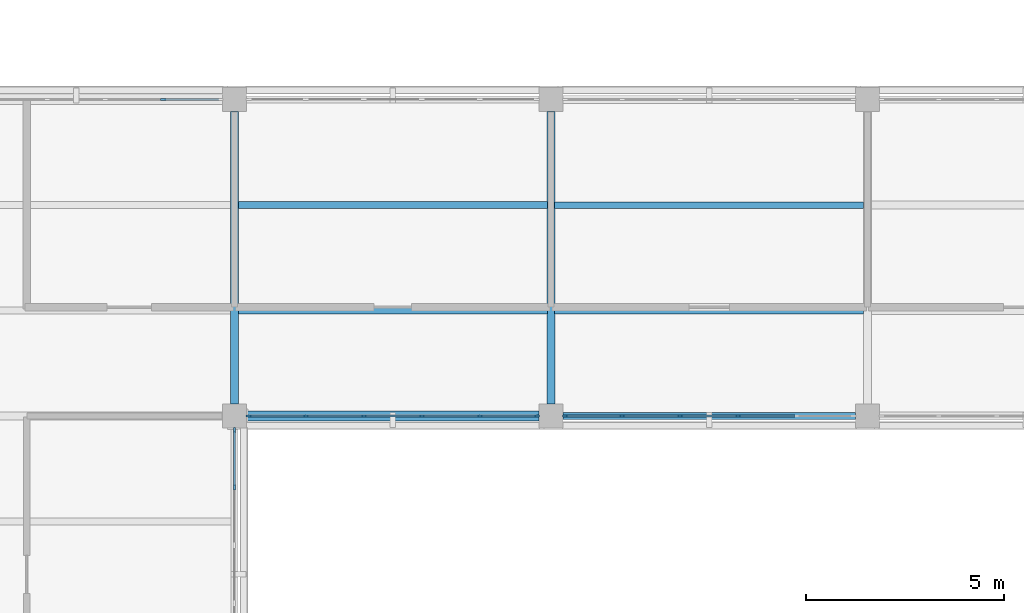
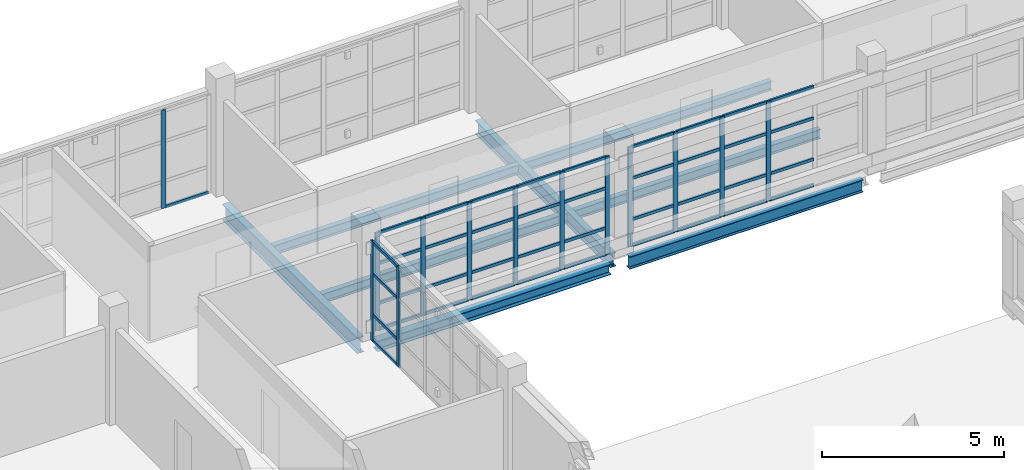
# One storey, part 15 of 126: 54 members, 8 beams, 4 elements without a shape of their own.
"""IFC4 building model written with IfcOpenShell, lengths in metres."""

from ifc_helpers import new_model, si_unit, derived_unit, direction, frame, origin, origin_2d, place, context, subcontext, project, spatial, rectangle, i_section, extrude, material, layer, layer_set, material_profile, profile_set, type_object, element, aggregate, save


model = new_model("IFC4")

# Units and contexts
model_context = context("Model", 3, precision=1e-05, world=origin(), true_north=direction((0.0, 1.0)))
body_context = subcontext(model_context, "Body", "Model", "MODEL_VIEW")
ifc_project = project(units=[si_unit("LENGTHUNIT", "METRE"), si_unit("AREAUNIT", "SQUARE_METRE"), si_unit("VOLUMEUNIT", "CUBIC_METRE"), si_unit("PLANEANGLEUNIT", "RADIAN"), si_unit("MASSUNIT", "GRAM", prefix="KILO"), derived_unit("THERMALTRANSMITTANCEUNIT", [(si_unit("MASSUNIT", "GRAM", prefix="KILO"), 1), (si_unit("TIMEUNIT", "SECOND"), -3), (si_unit("THERMODYNAMICTEMPERATUREUNIT", "KELVIN"), -1)])], contexts=[model_context])

# Site, building, storey
site_placement = place(None, origin())
site = spatial("IfcSite", under=ifc_project, at=site_placement, CompositionType="ELEMENT")
building_placement = place(site_placement, origin())
building = spatial("IfcBuilding", under=site, at=building_placement, Name="Veyamyaing Civic Hall", CompositionType="ELEMENT")
storey_placement = place(building_placement, frame((0.0, 0.0, 9.89990234375)))
storey = spatial("IfcBuildingStorey", under=building, at=storey_placement, Name="L02", CompositionType="ELEMENT", Elevation=9.89990234375)

# Beams
ifc_material_1 = material(Name="Steel ASTM A992", Category="steel")
ifc_material_profile_1 = material_profile(ifc_material_1, i_section(OverallWidth=0.208984375, OverallDepth=0.532958984375, WebThickness=0.01025390625, FlangeThickness=0.015625, FilletRadius=0.011962890625, at=origin_2d()), Name="W530X92")
ifc_profile_set_1 = profile_set([ifc_material_profile_1], Name="Steel ASTM A992")
beam_type_1 = type_object("IfcBeamType", Name="B-07", PredefinedType="BEAM", material=ifc_profile_set_1)
beam_1_placement = place(storey_placement, frame((16.0, 48.300048828125, -0.551513671875), z_axis=(0.0, 1.0, 0.0), x_axis=(-1.0, 0.0, 0.0)))
element("IfcBeam", 1, at=beam_1_placement, inside=storey, type_object=beam_type_1, Name="Girder B-07 L02 Grid 3 G-H", PredefinedType="BEAM", context=body_context, shape_type="SweptSolid", body=[
    extrude(i_section(OverallWidth=0.208984375, OverallDepth=0.532958984375, WebThickness=0.01025390625, FlangeThickness=0.015625, FilletRadius=0.011962890625, at=origin_2d()), origin(), (0.0, 0.0, 1.0), 7.39990234375),
])
ifc_material_profile_2 = material_profile(ifc_material_1, i_section(OverallWidth=0.19189453125, OverallDepth=0.462890625, WebThickness=0.010498046875, FlangeThickness=0.017578125, FilletRadius=0.010009765625, at=origin_2d()), Name="W460X89")
ifc_profile_set_2 = profile_set([ifc_material_profile_2], Name="Steel ASTM A992")
beam_type_2 = type_object("IfcBeamType", Name="B-08", PredefinedType="BEAM", material=ifc_profile_set_2)
beam_2_placement = place(storey_placement, frame((24.0, 48.300048828125, -0.516357421875), z_axis=(0.0, 1.0, 0.0), x_axis=(-1.0, 0.0, 0.0)))
element("IfcBeam", 2, at=beam_2_placement, inside=storey, type_object=beam_type_2, Name="Girder B-08 L02 Grid 4 G-H", PredefinedType="BEAM", context=body_context, shape_type="SweptSolid", body=[
    extrude(i_section(OverallWidth=0.19189453125, OverallDepth=0.462890625, WebThickness=0.010498046875, FlangeThickness=0.017578125, FilletRadius=0.010009765625, at=origin_2d()), origin(), (0.0, 0.0, 1.0), 7.39990234375),
])
ifc_material_profile_3 = material_profile(ifc_material_1, i_section(OverallWidth=0.179931640625, OverallDepth=0.4130859375, WebThickness=0.009765625, FlangeThickness=0.01611328125, FilletRadius=0.010009765625, at=origin_2d()), Name="W410X74")
ifc_profile_set_3 = profile_set([ifc_material_profile_3], Name="Steel ASTM A992")
beam_type_3 = type_object("IfcBeamType", Name="B-10", PredefinedType="SPANDREL", material=ifc_profile_set_3)
beam_3_placement = place(storey_placement, frame((24.300048828125, 48.0, -0.491455078125), z_axis=(1.0, 0.0, 0.0), x_axis=(0.0, 1.0, 0.0)))
element("IfcBeam", 3, at=beam_3_placement, inside=storey, type_object=beam_type_3, Name="Girder B-10 L02 Grid G 4-5", PredefinedType="SPANDREL", context=body_context, shape_type="SweptSolid", body=[
    extrude(i_section(OverallWidth=0.179931640625, OverallDepth=0.4130859375, WebThickness=0.009765625, FlangeThickness=0.01611328125, FilletRadius=0.010009765625, at=origin_2d()), origin(), (0.0, 0.0, 1.0), 7.39990234375),
])
ifc_material_profile_4 = material_profile(ifc_material_1, i_section(OverallWidth=0.25390625, OverallDepth=0.35302734375, WebThickness=0.009521484375, FlangeThickness=0.016357421875, FilletRadius=0.011962890625, at=origin_2d()), Name="W360X91")
ifc_profile_set_4 = profile_set([ifc_material_profile_4], Name="Steel ASTM A992")
beam_type_4 = type_object("IfcBeamType", Name="B-20", PredefinedType="SPANDREL", material=ifc_profile_set_4)
beam_4_placement = place(storey_placement, frame((16.300048828125, 48.0, -0.46142578125), z_axis=(1.0, 0.0, 0.0), x_axis=(0.0, 1.0, 0.0)))
element("IfcBeam", 4, at=beam_4_placement, inside=storey, type_object=beam_type_4, Name="Girder B-20 L02 Grid G 3-4", PredefinedType="SPANDREL", context=body_context, shape_type="SweptSolid", body=[
    extrude(i_section(OverallWidth=0.25390625, OverallDepth=0.35302734375, WebThickness=0.009521484375, FlangeThickness=0.016357421875, FilletRadius=0.011962890625, at=origin_2d()), origin(), (0.0, 0.0, 1.0), 7.39990234375),
])

# Curtain wall, members
ifc_material_2 = material(Name="Anodised aluminium 6063-T6", Category="aluminium")
ifc_layer = layer(ifc_material_2, 0.139892578125, Name="Anodised aluminium 6063-T6")
ifc_layer_set = layer_set([ifc_layer], Name="Anodised aluminium 6063-T6")
curtain_wall_type = type_object("IfcCurtainWallType", Name="CW-04", PredefinedType="NOTDEFINED", material=ifc_layer_set)
curtain_wall_1_placement = place(storey_placement, origin())
curtain_wall_1 = element("IfcCurtainWall", 5, at=curtain_wall_1_placement, inside=storey, type_object=curtain_wall_type, Name="Unitized curtain wall CW-04 L02 E 2.6", PredefinedType="NOTDEFINED")
ifc_material_profile_5 = material_profile(ifc_material_2, rectangle(XDim=0.06005859375, YDim=0.139892578125, at=origin_2d()), Name="ALU-MUL-60X140")
ifc_profile_set_5 = profile_set([ifc_material_profile_5], Name="Anodised aluminium 6063-T6")
member_type_1 = type_object("IfcMemberType", Name="CWM-03", PredefinedType="MULLION", material=ifc_profile_set_5)
member_1_placement = place(storey_placement, frame((16.0, 46.201904296875, 0.0), z_axis=(0.0, 0.0, 1.0), x_axis=(-1.0, 0.0, 0.0)))
member_1 = element("IfcMember", 6, at=member_1_placement, type_object=member_type_1, Name="CW-04 mullion 5", PredefinedType="MULLION", context=body_context, shape_type="SweptSolid", body=[
    extrude(rectangle(XDim=0.06005859375, YDim=0.139892578125, at=origin_2d()), origin(), (0.0, 0.0, 1.0), 3.343994140625),
])
member_2_placement = place(storey_placement, frame((16.0, 47.639892578125, 0.0), z_axis=(0.0, 0.0, 1.0), x_axis=(-1.0, 0.0, 0.0)))
member_2 = element("IfcMember", 7, at=member_2_placement, type_object=member_type_1, Name="CW-04 mullion 6", PredefinedType="MULLION", context=body_context, shape_type="SweptSolid", body=[
    extrude(rectangle(XDim=0.06005859375, YDim=0.139892578125, at=origin_2d()), origin(), (0.0, 0.0, 1.0), 3.343994140625),
])

# Curtain wall, member
curtain_wall_2_placement = place(storey_placement, origin())
curtain_wall_2 = element("IfcCurtainWall", 8, at=curtain_wall_2_placement, inside=storey, type_object=curtain_wall_type, Name="Unitized curtain wall CW-04 L02 N 2.7", PredefinedType="NOTDEFINED")
member_3_placement = place(storey_placement, frame((14.201904296875, 56.0, 0.0), z_axis=(0.0, 0.0, 1.0), x_axis=(0.0, 1.0, 0.0)))
member_3 = element("IfcMember", 9, at=member_3_placement, type_object=member_type_1, Name="CW-04 mullion 5", PredefinedType="MULLION", context=body_context, shape_type="SweptSolid", body=[
    extrude(rectangle(XDim=0.06005859375, YDim=0.139892578125, at=origin_2d()), origin(), (0.0, 0.0, 1.0), 3.2841796875),
])

# Curtain wall, members
curtain_wall_3_placement = place(storey_placement, origin())
curtain_wall_3 = element("IfcCurtainWall", 10, at=curtain_wall_3_placement, inside=storey, type_object=curtain_wall_type, Name="Unitized curtain wall CW-04 L02 S 3.7", PredefinedType="NOTDEFINED")
member_4_placement = place(storey_placement, frame((16.360107421875, 48.0, 0.0), z_axis=(0.0, 0.0, 1.0), x_axis=(0.0, 1.0, 0.0)))
member_4 = element("IfcMember", 11, at=member_4_placement, type_object=member_type_1, Name="CW-04 mullion 1", PredefinedType="MULLION", context=body_context, shape_type="SweptSolid", body=[
    extrude(rectangle(XDim=0.06005859375, YDim=0.139892578125, at=origin_2d()), origin(), (0.0, 0.0, 1.0), 3.2841796875),
])
member_5_placement = place(storey_placement, frame((17.798095703125, 48.0, 0.0), z_axis=(0.0, 0.0, 1.0), x_axis=(0.0, 1.0, 0.0)))
member_5 = element("IfcMember", 12, at=member_5_placement, type_object=member_type_1, Name="CW-04 mullion 2", PredefinedType="MULLION", context=body_context, shape_type="SweptSolid", body=[
    extrude(rectangle(XDim=0.06005859375, YDim=0.139892578125, at=origin_2d()), origin(), (0.0, 0.0, 1.0), 3.2841796875),
])
member_6_placement = place(storey_placement, frame((19.26611328125, 48.0, 0.0), z_axis=(0.0, 0.0, 1.0), x_axis=(0.0, 1.0, 0.0)))
member_6 = element("IfcMember", 13, at=member_6_placement, type_object=member_type_1, Name="CW-04 mullion 3", PredefinedType="MULLION", context=body_context, shape_type="SweptSolid", body=[
    extrude(rectangle(XDim=0.06005859375, YDim=0.139892578125, at=origin_2d()), origin(), (0.0, 0.0, 1.0), 3.2841796875),
])
member_7_placement = place(storey_placement, frame((20.73388671875, 48.0, 0.0), z_axis=(0.0, 0.0, 1.0), x_axis=(0.0, 1.0, 0.0)))
member_7 = element("IfcMember", 14, at=member_7_placement, type_object=member_type_1, Name="CW-04 mullion 4", PredefinedType="MULLION", context=body_context, shape_type="SweptSolid", body=[
    extrude(rectangle(XDim=0.06005859375, YDim=0.139892578125, at=origin_2d()), origin(), (0.0, 0.0, 1.0), 3.2841796875),
])
member_8_placement = place(storey_placement, frame((22.201904296875, 48.0, 0.0), z_axis=(0.0, 0.0, 1.0), x_axis=(0.0, 1.0, 0.0)))
member_8 = element("IfcMember", 15, at=member_8_placement, type_object=member_type_1, Name="CW-04 mullion 5", PredefinedType="MULLION", context=body_context, shape_type="SweptSolid", body=[
    extrude(rectangle(XDim=0.06005859375, YDim=0.139892578125, at=origin_2d()), origin(), (0.0, 0.0, 1.0), 3.2841796875),
])
member_9_placement = place(storey_placement, frame((23.639892578125, 48.0, 0.0), z_axis=(0.0, 0.0, 1.0), x_axis=(0.0, 1.0, 0.0)))
member_9 = element("IfcMember", 16, at=member_9_placement, type_object=member_type_1, Name="CW-04 mullion 6", PredefinedType="MULLION", context=body_context, shape_type="SweptSolid", body=[
    extrude(rectangle(XDim=0.06005859375, YDim=0.139892578125, at=origin_2d()), origin(), (0.0, 0.0, 1.0), 3.2841796875),
])

curtain_wall_4_placement = place(storey_placement, origin())
curtain_wall_4 = element("IfcCurtainWall", 17, at=curtain_wall_4_placement, inside=storey, type_object=curtain_wall_type, Name="Unitized curtain wall CW-04 L02 S 4.7", PredefinedType="NOTDEFINED")
member_10_placement = place(storey_placement, frame((24.360107421875, 48.0, 0.0), z_axis=(0.0, 0.0, 1.0), x_axis=(0.0, 1.0, 0.0)))
member_10 = element("IfcMember", 18, at=member_10_placement, type_object=member_type_1, Name="CW-04 mullion 1", PredefinedType="MULLION", context=body_context, shape_type="SweptSolid", body=[
    extrude(rectangle(XDim=0.06005859375, YDim=0.139892578125, at=origin_2d()), origin(), (0.0, 0.0, 1.0), 3.34716796875),
])
member_11_placement = place(storey_placement, frame((25.798095703125, 48.0, 0.0), z_axis=(0.0, 0.0, 1.0), x_axis=(0.0, 1.0, 0.0)))
member_11 = element("IfcMember", 19, at=member_11_placement, type_object=member_type_1, Name="CW-04 mullion 2", PredefinedType="MULLION", context=body_context, shape_type="SweptSolid", body=[
    extrude(rectangle(XDim=0.06005859375, YDim=0.139892578125, at=origin_2d()), origin(), (0.0, 0.0, 1.0), 3.34716796875),
])
member_12_placement = place(storey_placement, frame((27.26611328125, 48.0, 0.0), z_axis=(0.0, 0.0, 1.0), x_axis=(0.0, 1.0, 0.0)))
member_12 = element("IfcMember", 20, at=member_12_placement, type_object=member_type_1, Name="CW-04 mullion 3", PredefinedType="MULLION", context=body_context, shape_type="SweptSolid", body=[
    extrude(rectangle(XDim=0.06005859375, YDim=0.139892578125, at=origin_2d()), origin(), (0.0, 0.0, 1.0), 3.34716796875),
])
member_13_placement = place(storey_placement, frame((28.73388671875, 48.0, 0.0), z_axis=(0.0, 0.0, 1.0), x_axis=(0.0, 1.0, 0.0)))
member_13 = element("IfcMember", 21, at=member_13_placement, type_object=member_type_1, Name="CW-04 mullion 4", PredefinedType="MULLION", context=body_context, shape_type="SweptSolid", body=[
    extrude(rectangle(XDim=0.06005859375, YDim=0.139892578125, at=origin_2d()), origin(), (0.0, 0.0, 1.0), 3.34716796875),
])

# Member
ifc_material_profile_6 = material_profile(ifc_material_2, rectangle(XDim=0.06005859375, YDim=0.10009765625, at=origin_2d()), Name="ALU-TRN-60X100")
ifc_profile_set_6 = profile_set([ifc_material_profile_6], Name="Anodised aluminium 6063-T6")
member_type_2 = type_object("IfcMemberType", Name="CWT-03", PredefinedType="USERDEFINED", material=ifc_profile_set_6)
member_14_placement = place(storey_placement, frame((16.0, 46.23193359375, 0.030029296875), z_axis=(0.0, 1.0, 0.0), x_axis=(-1.0, 0.0, 0.0)))
member_14 = element("IfcMember", 22, at=member_14_placement, type_object=member_type_2, Name="CW-04 transom 5.1", ObjectType="TRANSOM", PredefinedType="USERDEFINED", context=body_context, shape_type="SweptSolid", body=[
    extrude(rectangle(XDim=0.06005859375, YDim=0.10009765625, at=origin_2d()), origin(), (0.0, 0.0, 1.0), 1.378173828125),
])

member_15_placement = place(storey_placement, frame((16.0, 46.23193359375, 0.900146484375), z_axis=(0.0, 1.0, 0.0), x_axis=(-1.0, 0.0, 0.0)))
member_15 = element("IfcMember", 23, at=member_15_placement, type_object=member_type_2, Name="CW-04 transom 5.2", ObjectType="TRANSOM", PredefinedType="USERDEFINED", context=body_context, shape_type="SweptSolid", body=[
    extrude(rectangle(XDim=0.06005859375, YDim=0.10009765625, at=origin_2d()), origin(), (0.0, 0.0, 1.0), 1.378173828125),
])

member_16_placement = place(storey_placement, frame((16.0, 46.23193359375, 2.27392578125), z_axis=(0.0, 1.0, 0.0), x_axis=(-1.0, 0.0, 0.0)))
member_16 = element("IfcMember", 24, at=member_16_placement, type_object=member_type_2, Name="CW-04 transom 5.3", ObjectType="TRANSOM", PredefinedType="USERDEFINED", context=body_context, shape_type="SweptSolid", body=[
    extrude(rectangle(XDim=0.06005859375, YDim=0.10009765625, at=origin_2d()), origin(), (0.0, 0.0, 1.0), 1.378173828125),
])

member_17_placement = place(storey_placement, frame((16.0, 46.23193359375, 3.314208984375), z_axis=(0.0, 1.0, 0.0), x_axis=(-1.0, 0.0, 0.0)))
member_17 = element("IfcMember", 25, at=member_17_placement, type_object=member_type_2, Name="CW-04 transom 5.4", ObjectType="TRANSOM", PredefinedType="USERDEFINED", context=body_context, shape_type="SweptSolid", body=[
    extrude(rectangle(XDim=0.06005859375, YDim=0.10009765625, at=origin_2d()), origin(), (0.0, 0.0, 1.0), 1.378173828125),
])

aggregate(curtain_wall_1, [member_1, member_2, member_14, member_15, member_16, member_17])

member_18_placement = place(storey_placement, frame((14.23193359375, 56.0, 0.030029296875), z_axis=(1.0, 0.0, 0.0), x_axis=(0.0, 1.0, 0.0)))
member_18 = element("IfcMember", 26, at=member_18_placement, type_object=member_type_2, Name="CW-04 transom 5.1", ObjectType="TRANSOM", PredefinedType="USERDEFINED", context=body_context, shape_type="SweptSolid", body=[
    extrude(rectangle(XDim=0.06005859375, YDim=0.10009765625, at=origin_2d()), origin(), (0.0, 0.0, 1.0), 1.378173828125),
])

aggregate(curtain_wall_2, [member_3, member_18])

member_19_placement = place(storey_placement, frame((16.389892578125, 48.0, 0.030029296875), z_axis=(1.0, 0.0, 0.0), x_axis=(0.0, 1.0, 0.0)))
member_19 = element("IfcMember", 27, at=member_19_placement, type_object=member_type_2, Name="CW-04 transom 1.1", ObjectType="TRANSOM", PredefinedType="USERDEFINED", context=body_context, shape_type="SweptSolid", body=[
    extrude(rectangle(XDim=0.06005859375, YDim=0.10009765625, at=origin_2d()), origin(), (0.0, 0.0, 1.0), 1.378173828125),
])

member_20_placement = place(storey_placement, frame((16.389892578125, 48.0, 0.900146484375), z_axis=(1.0, 0.0, 0.0), x_axis=(0.0, 1.0, 0.0)))
member_20 = element("IfcMember", 28, at=member_20_placement, type_object=member_type_2, Name="CW-04 transom 1.2", ObjectType="TRANSOM", PredefinedType="USERDEFINED", context=body_context, shape_type="SweptSolid", body=[
    extrude(rectangle(XDim=0.06005859375, YDim=0.10009765625, at=origin_2d()), origin(), (0.0, 0.0, 1.0), 1.378173828125),
])

member_21_placement = place(storey_placement, frame((16.389892578125, 48.0, 2.233154296875), z_axis=(1.0, 0.0, 0.0), x_axis=(0.0, 1.0, 0.0)))
member_21 = element("IfcMember", 29, at=member_21_placement, type_object=member_type_2, Name="CW-04 transom 1.3", ObjectType="TRANSOM", PredefinedType="USERDEFINED", context=body_context, shape_type="SweptSolid", body=[
    extrude(rectangle(XDim=0.06005859375, YDim=0.10009765625, at=origin_2d()), origin(), (0.0, 0.0, 1.0), 1.378173828125),
])

member_22_placement = place(storey_placement, frame((16.389892578125, 48.0, 3.254150390625), z_axis=(1.0, 0.0, 0.0), x_axis=(0.0, 1.0, 0.0)))
member_22 = element("IfcMember", 30, at=member_22_placement, type_object=member_type_2, Name="CW-04 transom 1.4", ObjectType="TRANSOM", PredefinedType="USERDEFINED", context=body_context, shape_type="SweptSolid", body=[
    extrude(rectangle(XDim=0.06005859375, YDim=0.10009765625, at=origin_2d()), origin(), (0.0, 0.0, 1.0), 1.378173828125),
])

member_23_placement = place(storey_placement, frame((17.827880859375, 48.0, 0.030029296875), z_axis=(1.0, 0.0, 0.0), x_axis=(0.0, 1.0, 0.0)))
member_23 = element("IfcMember", 31, at=member_23_placement, type_object=member_type_2, Name="CW-04 transom 2.1", ObjectType="TRANSOM", PredefinedType="USERDEFINED", context=body_context, shape_type="SweptSolid", body=[
    extrude(rectangle(XDim=0.06005859375, YDim=0.10009765625, at=origin_2d()), origin(), (0.0, 0.0, 1.0), 1.408203125),
])

member_24_placement = place(storey_placement, frame((17.827880859375, 48.0, 0.900146484375), z_axis=(1.0, 0.0, 0.0), x_axis=(0.0, 1.0, 0.0)))
member_24 = element("IfcMember", 32, at=member_24_placement, type_object=member_type_2, Name="CW-04 transom 2.2", ObjectType="TRANSOM", PredefinedType="USERDEFINED", context=body_context, shape_type="SweptSolid", body=[
    extrude(rectangle(XDim=0.06005859375, YDim=0.10009765625, at=origin_2d()), origin(), (0.0, 0.0, 1.0), 1.408203125),
])

member_25_placement = place(storey_placement, frame((17.827880859375, 48.0, 2.233154296875), z_axis=(1.0, 0.0, 0.0), x_axis=(0.0, 1.0, 0.0)))
member_25 = element("IfcMember", 33, at=member_25_placement, type_object=member_type_2, Name="CW-04 transom 2.3", ObjectType="TRANSOM", PredefinedType="USERDEFINED", context=body_context, shape_type="SweptSolid", body=[
    extrude(rectangle(XDim=0.06005859375, YDim=0.10009765625, at=origin_2d()), origin(), (0.0, 0.0, 1.0), 1.408203125),
])

member_26_placement = place(storey_placement, frame((17.827880859375, 48.0, 3.254150390625), z_axis=(1.0, 0.0, 0.0), x_axis=(0.0, 1.0, 0.0)))
member_26 = element("IfcMember", 34, at=member_26_placement, type_object=member_type_2, Name="CW-04 transom 2.4", ObjectType="TRANSOM", PredefinedType="USERDEFINED", context=body_context, shape_type="SweptSolid", body=[
    extrude(rectangle(XDim=0.06005859375, YDim=0.10009765625, at=origin_2d()), origin(), (0.0, 0.0, 1.0), 1.408203125),
])

member_27_placement = place(storey_placement, frame((19.2958984375, 48.0, 0.030029296875), z_axis=(1.0, 0.0, 0.0), x_axis=(0.0, 1.0, 0.0)))
member_27 = element("IfcMember", 35, at=member_27_placement, type_object=member_type_2, Name="CW-04 transom 3.1", ObjectType="TRANSOM", PredefinedType="USERDEFINED", context=body_context, shape_type="SweptSolid", body=[
    extrude(rectangle(XDim=0.06005859375, YDim=0.10009765625, at=origin_2d()), origin(), (0.0, 0.0, 1.0), 1.408203125),
])

member_28_placement = place(storey_placement, frame((19.2958984375, 48.0, 0.900146484375), z_axis=(1.0, 0.0, 0.0), x_axis=(0.0, 1.0, 0.0)))
member_28 = element("IfcMember", 36, at=member_28_placement, type_object=member_type_2, Name="CW-04 transom 3.2", ObjectType="TRANSOM", PredefinedType="USERDEFINED", context=body_context, shape_type="SweptSolid", body=[
    extrude(rectangle(XDim=0.06005859375, YDim=0.10009765625, at=origin_2d()), origin(), (0.0, 0.0, 1.0), 1.408203125),
])

member_29_placement = place(storey_placement, frame((19.2958984375, 48.0, 2.233154296875), z_axis=(1.0, 0.0, 0.0), x_axis=(0.0, 1.0, 0.0)))
member_29 = element("IfcMember", 37, at=member_29_placement, type_object=member_type_2, Name="CW-04 transom 3.3", ObjectType="TRANSOM", PredefinedType="USERDEFINED", context=body_context, shape_type="SweptSolid", body=[
    extrude(rectangle(XDim=0.06005859375, YDim=0.10009765625, at=origin_2d()), origin(), (0.0, 0.0, 1.0), 1.408203125),
])

member_30_placement = place(storey_placement, frame((19.2958984375, 48.0, 3.254150390625), z_axis=(1.0, 0.0, 0.0), x_axis=(0.0, 1.0, 0.0)))
member_30 = element("IfcMember", 38, at=member_30_placement, type_object=member_type_2, Name="CW-04 transom 3.4", ObjectType="TRANSOM", PredefinedType="USERDEFINED", context=body_context, shape_type="SweptSolid", body=[
    extrude(rectangle(XDim=0.06005859375, YDim=0.10009765625, at=origin_2d()), origin(), (0.0, 0.0, 1.0), 1.408203125),
])

member_31_placement = place(storey_placement, frame((20.763916015625, 48.0, 0.030029296875), z_axis=(1.0, 0.0, 0.0), x_axis=(0.0, 1.0, 0.0)))
member_31 = element("IfcMember", 39, at=member_31_placement, type_object=member_type_2, Name="CW-04 transom 4.1", ObjectType="TRANSOM", PredefinedType="USERDEFINED", context=body_context, shape_type="SweptSolid", body=[
    extrude(rectangle(XDim=0.06005859375, YDim=0.10009765625, at=origin_2d()), origin(), (0.0, 0.0, 1.0), 1.408203125),
])

member_32_placement = place(storey_placement, frame((20.763916015625, 48.0, 0.900146484375), z_axis=(1.0, 0.0, 0.0), x_axis=(0.0, 1.0, 0.0)))
member_32 = element("IfcMember", 40, at=member_32_placement, type_object=member_type_2, Name="CW-04 transom 4.2", ObjectType="TRANSOM", PredefinedType="USERDEFINED", context=body_context, shape_type="SweptSolid", body=[
    extrude(rectangle(XDim=0.06005859375, YDim=0.10009765625, at=origin_2d()), origin(), (0.0, 0.0, 1.0), 1.408203125),
])

member_33_placement = place(storey_placement, frame((20.763916015625, 48.0, 2.233154296875), z_axis=(1.0, 0.0, 0.0), x_axis=(0.0, 1.0, 0.0)))
member_33 = element("IfcMember", 41, at=member_33_placement, type_object=member_type_2, Name="CW-04 transom 4.3", ObjectType="TRANSOM", PredefinedType="USERDEFINED", context=body_context, shape_type="SweptSolid", body=[
    extrude(rectangle(XDim=0.06005859375, YDim=0.10009765625, at=origin_2d()), origin(), (0.0, 0.0, 1.0), 1.408203125),
])

member_34_placement = place(storey_placement, frame((20.763916015625, 48.0, 3.254150390625), z_axis=(1.0, 0.0, 0.0), x_axis=(0.0, 1.0, 0.0)))
member_34 = element("IfcMember", 42, at=member_34_placement, type_object=member_type_2, Name="CW-04 transom 4.4", ObjectType="TRANSOM", PredefinedType="USERDEFINED", context=body_context, shape_type="SweptSolid", body=[
    extrude(rectangle(XDim=0.06005859375, YDim=0.10009765625, at=origin_2d()), origin(), (0.0, 0.0, 1.0), 1.408203125),
])

member_35_placement = place(storey_placement, frame((22.23193359375, 48.0, 0.030029296875), z_axis=(1.0, 0.0, 0.0), x_axis=(0.0, 1.0, 0.0)))
member_35 = element("IfcMember", 43, at=member_35_placement, type_object=member_type_2, Name="CW-04 transom 5.1", ObjectType="TRANSOM", PredefinedType="USERDEFINED", context=body_context, shape_type="SweptSolid", body=[
    extrude(rectangle(XDim=0.06005859375, YDim=0.10009765625, at=origin_2d()), origin(), (0.0, 0.0, 1.0), 1.378173828125),
])

member_36_placement = place(storey_placement, frame((22.23193359375, 48.0, 0.900146484375), z_axis=(1.0, 0.0, 0.0), x_axis=(0.0, 1.0, 0.0)))
member_36 = element("IfcMember", 44, at=member_36_placement, type_object=member_type_2, Name="CW-04 transom 5.2", ObjectType="TRANSOM", PredefinedType="USERDEFINED", context=body_context, shape_type="SweptSolid", body=[
    extrude(rectangle(XDim=0.06005859375, YDim=0.10009765625, at=origin_2d()), origin(), (0.0, 0.0, 1.0), 1.378173828125),
])

member_37_placement = place(storey_placement, frame((22.23193359375, 48.0, 2.233154296875), z_axis=(1.0, 0.0, 0.0), x_axis=(0.0, 1.0, 0.0)))
member_37 = element("IfcMember", 45, at=member_37_placement, type_object=member_type_2, Name="CW-04 transom 5.3", ObjectType="TRANSOM", PredefinedType="USERDEFINED", context=body_context, shape_type="SweptSolid", body=[
    extrude(rectangle(XDim=0.06005859375, YDim=0.10009765625, at=origin_2d()), origin(), (0.0, 0.0, 1.0), 1.378173828125),
])

member_38_placement = place(storey_placement, frame((22.23193359375, 48.0, 3.254150390625), z_axis=(1.0, 0.0, 0.0), x_axis=(0.0, 1.0, 0.0)))
member_38 = element("IfcMember", 46, at=member_38_placement, type_object=member_type_2, Name="CW-04 transom 5.4", ObjectType="TRANSOM", PredefinedType="USERDEFINED", context=body_context, shape_type="SweptSolid", body=[
    extrude(rectangle(XDim=0.06005859375, YDim=0.10009765625, at=origin_2d()), origin(), (0.0, 0.0, 1.0), 1.378173828125),
])

aggregate(curtain_wall_3, [member_4, member_5, member_6, member_7, member_8, member_9, member_19, member_20, member_21, member_22, member_23, member_24, member_25, member_26, member_27, member_28, member_29, member_30, member_31, member_32, member_33, member_34, member_35, member_36, member_37, member_38])

member_39_placement = place(storey_placement, frame((24.389892578125, 48.0, 0.030029296875), z_axis=(1.0, 0.0, 0.0), x_axis=(0.0, 1.0, 0.0)))
member_39 = element("IfcMember", 47, at=member_39_placement, type_object=member_type_2, Name="CW-04 transom 1.1", ObjectType="TRANSOM", PredefinedType="USERDEFINED", context=body_context, shape_type="SweptSolid", body=[
    extrude(rectangle(XDim=0.06005859375, YDim=0.10009765625, at=origin_2d()), origin(), (0.0, 0.0, 1.0), 1.378173828125),
])

member_40_placement = place(storey_placement, frame((24.389892578125, 48.0, 0.900146484375), z_axis=(1.0, 0.0, 0.0), x_axis=(0.0, 1.0, 0.0)))
member_40 = element("IfcMember", 48, at=member_40_placement, type_object=member_type_2, Name="CW-04 transom 1.2", ObjectType="TRANSOM", PredefinedType="USERDEFINED", context=body_context, shape_type="SweptSolid", body=[
    extrude(rectangle(XDim=0.06005859375, YDim=0.10009765625, at=origin_2d()), origin(), (0.0, 0.0, 1.0), 1.378173828125),
])

member_41_placement = place(storey_placement, frame((24.389892578125, 48.0, 2.276123046875), z_axis=(1.0, 0.0, 0.0), x_axis=(0.0, 1.0, 0.0)))
member_41 = element("IfcMember", 49, at=member_41_placement, type_object=member_type_2, Name="CW-04 transom 1.3", ObjectType="TRANSOM", PredefinedType="USERDEFINED", context=body_context, shape_type="SweptSolid", body=[
    extrude(rectangle(XDim=0.06005859375, YDim=0.10009765625, at=origin_2d()), origin(), (0.0, 0.0, 1.0), 1.378173828125),
])

member_42_placement = place(storey_placement, frame((24.389892578125, 48.0, 3.317138671875), z_axis=(1.0, 0.0, 0.0), x_axis=(0.0, 1.0, 0.0)))
member_42 = element("IfcMember", 50, at=member_42_placement, type_object=member_type_2, Name="CW-04 transom 1.4", ObjectType="TRANSOM", PredefinedType="USERDEFINED", context=body_context, shape_type="SweptSolid", body=[
    extrude(rectangle(XDim=0.06005859375, YDim=0.10009765625, at=origin_2d()), origin(), (0.0, 0.0, 1.0), 1.378173828125),
])

member_43_placement = place(storey_placement, frame((25.827880859375, 48.0, 0.030029296875), z_axis=(1.0, 0.0, 0.0), x_axis=(0.0, 1.0, 0.0)))
member_43 = element("IfcMember", 51, at=member_43_placement, type_object=member_type_2, Name="CW-04 transom 2.1", ObjectType="TRANSOM", PredefinedType="USERDEFINED", context=body_context, shape_type="SweptSolid", body=[
    extrude(rectangle(XDim=0.06005859375, YDim=0.10009765625, at=origin_2d()), origin(), (0.0, 0.0, 1.0), 1.408203125),
])

member_44_placement = place(storey_placement, frame((25.827880859375, 48.0, 0.900146484375), z_axis=(1.0, 0.0, 0.0), x_axis=(0.0, 1.0, 0.0)))
member_44 = element("IfcMember", 52, at=member_44_placement, type_object=member_type_2, Name="CW-04 transom 2.2", ObjectType="TRANSOM", PredefinedType="USERDEFINED", context=body_context, shape_type="SweptSolid", body=[
    extrude(rectangle(XDim=0.06005859375, YDim=0.10009765625, at=origin_2d()), origin(), (0.0, 0.0, 1.0), 1.408203125),
])

member_45_placement = place(storey_placement, frame((25.827880859375, 48.0, 2.276123046875), z_axis=(1.0, 0.0, 0.0), x_axis=(0.0, 1.0, 0.0)))
member_45 = element("IfcMember", 53, at=member_45_placement, type_object=member_type_2, Name="CW-04 transom 2.3", ObjectType="TRANSOM", PredefinedType="USERDEFINED", context=body_context, shape_type="SweptSolid", body=[
    extrude(rectangle(XDim=0.06005859375, YDim=0.10009765625, at=origin_2d()), origin(), (0.0, 0.0, 1.0), 1.408203125),
])

member_46_placement = place(storey_placement, frame((25.827880859375, 48.0, 3.317138671875), z_axis=(1.0, 0.0, 0.0), x_axis=(0.0, 1.0, 0.0)))
member_46 = element("IfcMember", 54, at=member_46_placement, type_object=member_type_2, Name="CW-04 transom 2.4", ObjectType="TRANSOM", PredefinedType="USERDEFINED", context=body_context, shape_type="SweptSolid", body=[
    extrude(rectangle(XDim=0.06005859375, YDim=0.10009765625, at=origin_2d()), origin(), (0.0, 0.0, 1.0), 1.408203125),
])

member_47_placement = place(storey_placement, frame((27.2958984375, 48.0, 0.030029296875), z_axis=(1.0, 0.0, 0.0), x_axis=(0.0, 1.0, 0.0)))
member_47 = element("IfcMember", 55, at=member_47_placement, type_object=member_type_2, Name="CW-04 transom 3.1", ObjectType="TRANSOM", PredefinedType="USERDEFINED", context=body_context, shape_type="SweptSolid", body=[
    extrude(rectangle(XDim=0.06005859375, YDim=0.10009765625, at=origin_2d()), origin(), (0.0, 0.0, 1.0), 1.408203125),
])

member_48_placement = place(storey_placement, frame((27.2958984375, 48.0, 0.900146484375), z_axis=(1.0, 0.0, 0.0), x_axis=(0.0, 1.0, 0.0)))
member_48 = element("IfcMember", 56, at=member_48_placement, type_object=member_type_2, Name="CW-04 transom 3.2", ObjectType="TRANSOM", PredefinedType="USERDEFINED", context=body_context, shape_type="SweptSolid", body=[
    extrude(rectangle(XDim=0.06005859375, YDim=0.10009765625, at=origin_2d()), origin(), (0.0, 0.0, 1.0), 1.408203125),
])

member_49_placement = place(storey_placement, frame((27.2958984375, 48.0, 2.276123046875), z_axis=(1.0, 0.0, 0.0), x_axis=(0.0, 1.0, 0.0)))
member_49 = element("IfcMember", 57, at=member_49_placement, type_object=member_type_2, Name="CW-04 transom 3.3", ObjectType="TRANSOM", PredefinedType="USERDEFINED", context=body_context, shape_type="SweptSolid", body=[
    extrude(rectangle(XDim=0.06005859375, YDim=0.10009765625, at=origin_2d()), origin(), (0.0, 0.0, 1.0), 1.408203125),
])

member_50_placement = place(storey_placement, frame((27.2958984375, 48.0, 3.317138671875), z_axis=(1.0, 0.0, 0.0), x_axis=(0.0, 1.0, 0.0)))
member_50 = element("IfcMember", 58, at=member_50_placement, type_object=member_type_2, Name="CW-04 transom 3.4", ObjectType="TRANSOM", PredefinedType="USERDEFINED", context=body_context, shape_type="SweptSolid", body=[
    extrude(rectangle(XDim=0.06005859375, YDim=0.10009765625, at=origin_2d()), origin(), (0.0, 0.0, 1.0), 1.408203125),
])

member_51_placement = place(storey_placement, frame((28.763916015625, 48.0, 0.030029296875), z_axis=(1.0, 0.0, 0.0), x_axis=(0.0, 1.0, 0.0)))
member_51 = element("IfcMember", 59, at=member_51_placement, type_object=member_type_2, Name="CW-04 transom 4.1", ObjectType="TRANSOM", PredefinedType="USERDEFINED", context=body_context, shape_type="SweptSolid", body=[
    extrude(rectangle(XDim=0.06005859375, YDim=0.10009765625, at=origin_2d()), origin(), (0.0, 0.0, 1.0), 1.408203125),
])

member_52_placement = place(storey_placement, frame((28.763916015625, 48.0, 0.900146484375), z_axis=(1.0, 0.0, 0.0), x_axis=(0.0, 1.0, 0.0)))
member_52 = element("IfcMember", 60, at=member_52_placement, type_object=member_type_2, Name="CW-04 transom 4.2", ObjectType="TRANSOM", PredefinedType="USERDEFINED", context=body_context, shape_type="SweptSolid", body=[
    extrude(rectangle(XDim=0.06005859375, YDim=0.10009765625, at=origin_2d()), origin(), (0.0, 0.0, 1.0), 1.408203125),
])

member_53_placement = place(storey_placement, frame((28.763916015625, 48.0, 2.276123046875), z_axis=(1.0, 0.0, 0.0), x_axis=(0.0, 1.0, 0.0)))
member_53 = element("IfcMember", 61, at=member_53_placement, type_object=member_type_2, Name="CW-04 transom 4.3", ObjectType="TRANSOM", PredefinedType="USERDEFINED", context=body_context, shape_type="SweptSolid", body=[
    extrude(rectangle(XDim=0.06005859375, YDim=0.10009765625, at=origin_2d()), origin(), (0.0, 0.0, 1.0), 1.408203125),
])

member_54_placement = place(storey_placement, frame((28.763916015625, 48.0, 3.317138671875), z_axis=(1.0, 0.0, 0.0), x_axis=(0.0, 1.0, 0.0)))
member_54 = element("IfcMember", 62, at=member_54_placement, type_object=member_type_2, Name="CW-04 transom 4.4", ObjectType="TRANSOM", PredefinedType="USERDEFINED", context=body_context, shape_type="SweptSolid", body=[
    extrude(rectangle(XDim=0.06005859375, YDim=0.10009765625, at=origin_2d()), origin(), (0.0, 0.0, 1.0), 1.408203125),
])

aggregate(curtain_wall_4, [member_10, member_11, member_12, member_13, member_39, member_40, member_41, member_42, member_43, member_44, member_45, member_46, member_47, member_48, member_49, member_50, member_51, member_52, member_53, member_54])

# Beams
ifc_material_profile_7 = material_profile(ifc_material_1, i_section(OverallWidth=0.1669921875, OverallDepth=0.318115234375, WebThickness=0.007568359375, FlangeThickness=0.01318359375, FilletRadius=0.010009765625, at=origin_2d()), Name="W310X52")
ifc_profile_set_7 = profile_set([ifc_material_profile_7], Name="Steel ASTM A992")
beam_type_5 = type_object("IfcBeamType", Name="J-04", PredefinedType="JOIST", material=ifc_profile_set_7)
for number, where, z_axis, x_axis, name in (
    (63, (16.1025390625, 50.666748046875, -0.44384765625), (1.0, 0.0, 0.0), (0.0, 1.0, 0.0), "Composite floor joist J-04 L02 3.7.1"),
    (64, (16.1025390625, 53.333251953125, -0.44384765625), (1.0, 0.0, 0.0), (0.0, 1.0, 0.0), "Composite floor joist J-04 L02 3.7.2"),
):
    element("IfcBeam", number, at=place(storey_placement, frame(where, z_axis=z_axis, x_axis=x_axis)), inside=storey, type_object=beam_type_5, Name=name, PredefinedType="JOIST", context=body_context, shape_type="SweptSolid", body=[
        extrude(i_section(OverallWidth=0.1669921875, OverallDepth=0.318115234375, WebThickness=0.007568359375, FlangeThickness=0.01318359375, FilletRadius=0.010009765625, at=origin_2d()), origin(), (0.0, 0.0, 1.0), 7.803466796875),
    ])
ifc_material_profile_8 = material_profile(ifc_material_1, i_section(OverallWidth=0.1650390625, OverallDepth=0.31005859375, WebThickness=0.005859375, FlangeThickness=0.009765625, FilletRadius=0.010009765625, at=origin_2d()), Name="W310X39")
ifc_profile_set_8 = profile_set([ifc_material_profile_8], Name="Steel ASTM A992")
beam_type_6 = type_object("IfcBeamType", Name="J-05", PredefinedType="JOIST", material=ifc_profile_set_8)
for number, where, z_axis, x_axis, name in (
    (65, (24.093994140625, 50.666748046875, -0.43994140625), (1.0, 0.0, 0.0), (0.0, 1.0, 0.0), "Composite floor joist J-05 L02 4.7.1"),
    (66, (24.093994140625, 53.333251953125, -0.43994140625), (1.0, 0.0, 0.0), (0.0, 1.0, 0.0), "Composite floor joist J-05 L02 4.7.2"),
):
    element("IfcBeam", number, at=place(storey_placement, frame(where, z_axis=z_axis, x_axis=x_axis)), inside=storey, type_object=beam_type_6, Name=name, PredefinedType="JOIST", context=body_context, shape_type="SweptSolid", body=[
        extrude(i_section(OverallWidth=0.1650390625, OverallDepth=0.31005859375, WebThickness=0.005859375, FlangeThickness=0.009765625, FilletRadius=0.010009765625, at=origin_2d()), origin(), (0.0, 0.0, 1.0), 7.802490234375),
    ])

save(model, "model.ifc")
